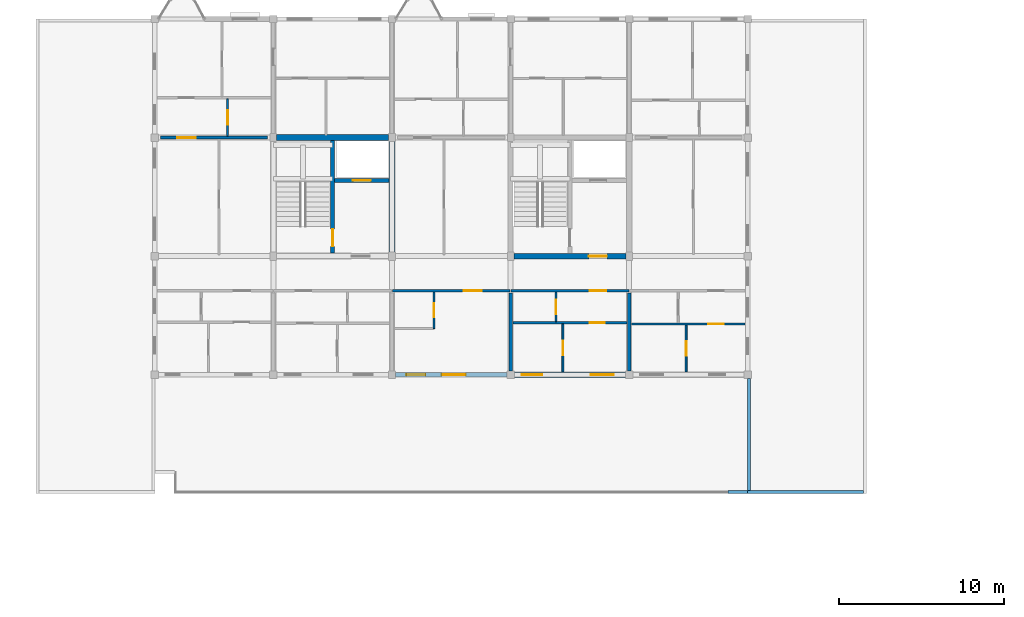
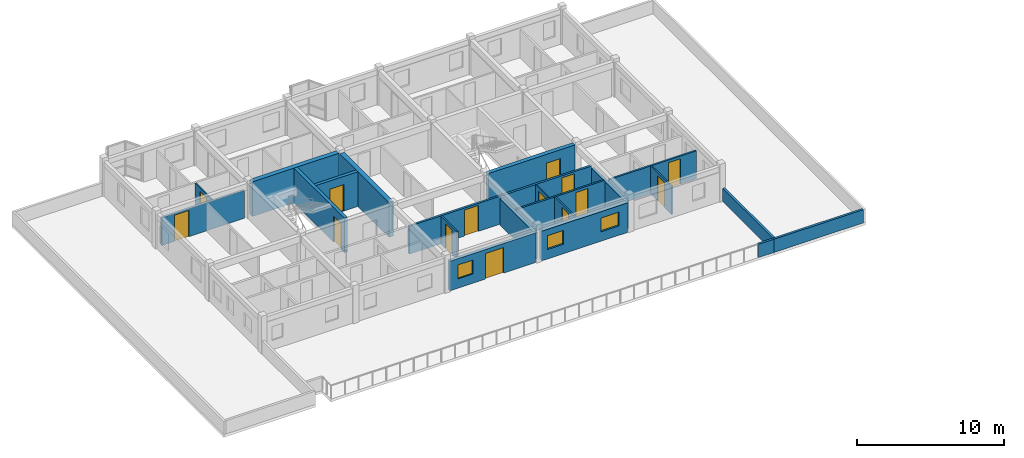
# One storey, part 33 of 40: 22 walls, 14 doors, 3 windows, 17 openings.
"""IFC4 building model written with IfcOpenShell, lengths in metres."""

from ifc_helpers import new_model, si_unit, direction, frame, frame_2d, origin, place, context, subcontext, project, spatial, rectangle, extrude, material, layer, layer_set, type_object, element, fill, save


model = new_model("IFC4")

# Units and contexts
model_context = context("Model", 3, precision=1e-05, world=origin(), true_north=direction((0.0, 1.0)))
body_context = subcontext(model_context, "Body", "Model", "MODEL_VIEW")
ifc_project = project(units=[si_unit("LENGTHUNIT", "METRE"), si_unit("AREAUNIT", "SQUARE_METRE"), si_unit("VOLUMEUNIT", "CUBIC_METRE"), si_unit("PLANEANGLEUNIT", "RADIAN"), si_unit("MASSUNIT", "GRAM", prefix="KILO"), si_unit("THERMODYNAMICTEMPERATUREUNIT", "KELVIN"), si_unit("POWERUNIT", "WATT")], contexts=[model_context])

# Site, building, storey
site_placement = place(None, origin())
site = spatial("IfcSite", under=ifc_project, at=site_placement, CompositionType="ELEMENT")
building_placement = place(site_placement, origin())
building = spatial("IfcBuilding", under=site, at=building_placement, Name="Tavuni Mirador Residences", CompositionType="ELEMENT")
storey_placement = place(building_placement, frame((0.0, 0.0, 36.0)))
storey = spatial("IfcBuildingStorey", under=building, at=storey_placement, Name="L11", CompositionType="ELEMENT", Elevation=36.0)

# Wall, opening, door
ifc_material_1 = material(Name="Precast concrete C40/50", Category="concrete")
ifc_layer_1 = layer(ifc_material_1, 0.25, Name="Precast concrete C40/50", Category="concrete")
ifc_layer_set_1 = layer_set([ifc_layer_1], Name="Precast concrete C40/50")
wall_type_1 = type_object("IfcWallType", Name="WT-COR250", PredefinedType="SHEAR", material=ifc_layer_set_1)
wall_1_placement = place(storey_placement, frame((28.800048828125, 158.580078125, 0.0), z_axis=(0.0, 0.0, 1.0), x_axis=(0.0, 1.0, 0.0)))
wall_1 = element("IfcWall", 1, at=wall_1_placement, inside=storey, type_object=wall_type_1, Name="CWALL-C5-L11-MID", PredefinedType="SHEAR", context=body_context, shape_type="SweptSolid", body=[
    extrude(rectangle(XDim=6.83984375, YDim=0.25, at=frame_2d((3.419921875, 0.0))), origin(), (0.0, 0.0, 1.0), 2.885009765625),
])
opening_1_placement = place(wall_1_placement, frame((0.419921875, 0.0, 0.0)))
opening_1 = element("IfcOpeningElement", 2, at=opening_1_placement, cuts=wall_1, Name="Opening D-01", PredefinedType="OPENING", context=body_context, shape_type="SweptSolid", body=[
    extrude(rectangle(XDim=1.050048828125, YDim=2.14990234375, at=frame_2d((0.52490234375, 1.074951171875))), frame((0.0, 0.135009765625, 0.0), z_axis=(0.0, -1.0, 0.0), x_axis=(1.0, 0.0, 0.0)), (0.0, 0.0, 1.0), 0.27001953125),
])
ifc_material_2 = material(Name="Solid core iroko timber", Category="wood")
door_type_1 = type_object("IfcDoorType", Name="DT-ST1050", OperationType="NOTDEFINED", PredefinedType="DOOR", material=ifc_material_2)
door_1_placement = place(opening_1_placement, origin())
door_1 = element("IfcDoor", 3, at=door_1_placement, inside=storey, type_object=door_type_1, Name="DR-2208", OperationType="SINGLE_SWING_RIGHT", OverallHeight=2.14990234375, OverallWidth=1.050048828125, PredefinedType="DOOR", context=body_context, shape_type="SweptSolid", body=[
    extrude(rectangle(XDim=1.050048828125, YDim=2.14990234375, at=frame_2d((0.52490234375, 1.074951171875))), frame((0.0, 0.02490234375, 0.0), z_axis=(0.0, -1.0, 0.0), x_axis=(1.0, 0.0, 0.0)), (0.0, 0.0, 1.0), 0.050048828125),
])
fill(opening_1, door_1)

wall_2_placement = place(storey_placement, frame((28.925048828125, 163.0, 0.0), z_axis=(0.0, 0.0, 1.0), x_axis=(1.0, 0.0, 0.0)))
wall_2 = element("IfcWall", 4, at=wall_2_placement, inside=storey, type_object=wall_type_1, Name="CWALL-C5-L11-SHF", PredefinedType="SHEAR", context=body_context, shape_type="SweptSolid", body=[
    extrude(rectangle(XDim=3.294921875, YDim=0.25, at=frame_2d((1.6474609375, 0.0))), origin(), (0.0, 0.0, 1.0), 2.885009765625),
])
opening_2_placement = place(wall_2_placement, frame((1.10009765625, 0.0, 0.0)))
opening_2 = element("IfcOpeningElement", 5, at=opening_2_placement, cuts=wall_2, Name="Opening LD-01", PredefinedType="OPENING", context=body_context, shape_type="SweptSolid", body=[
    extrude(rectangle(XDim=1.10009765625, YDim=2.199951171875, at=frame_2d((0.550048828125, 1.10009765625))), frame((0.0, 0.135009765625, 0.0), z_axis=(0.0, -1.0, 0.0), x_axis=(1.0, 0.0, 0.0)), (0.0, 0.0, 1.0), 0.27001953125),
])
ifc_material_3 = material(Name="Structural steel S355", Category="steel")
door_type_2 = type_object("IfcDoorType", Name="DT-LD-FF", OperationType="SLIDING_TO_LEFT", PredefinedType="DOOR", material=ifc_material_3)
door_2_placement = place(opening_2_placement, origin())
door_2 = element("IfcDoor", 6, at=door_2_placement, inside=storey, type_object=door_type_2, Name="Lift landing door FL-C1 L11", OperationType="SLIDING_TO_LEFT", OverallHeight=2.199951171875, OverallWidth=1.10009765625, PredefinedType="DOOR", context=body_context, shape_type="SweptSolid", body=[
    extrude(rectangle(XDim=1.10009765625, YDim=2.199951171875, at=frame_2d((0.550048828125, 1.10009765625))), frame((0.0, 0.02490234375, 0.0), z_axis=(0.0, -1.0, 0.0), x_axis=(1.0, 0.0, 0.0)), (0.0, 0.0, 1.0), 0.050048828125),
])
fill(opening_2, door_2)

ifc_layer_2 = layer(ifc_material_1, 0.320068359375, Name="Precast concrete C40/50", Category="concrete")
ifc_layer_set_2 = layer_set([ifc_layer_2], Name="Precast concrete C40/50")
wall_type_2 = type_object("IfcWallType", Name="WT-COR320", PredefinedType="SHEAR", material=ifc_layer_set_2)
wall_3_placement = place(storey_placement, frame((39.800048828125, 158.39990234375, 0.0), z_axis=(0.0, 0.0, 1.0), x_axis=(1.0, 0.0, 0.0)))
wall_3 = element("IfcWall", 7, at=wall_3_placement, inside=storey, type_object=wall_type_2, Name="CWALL-C6-L11-SS", PredefinedType="SHEAR", context=body_context, shape_type="SweptSolid", body=[
    extrude(rectangle(XDim=6.800048828125, YDim=0.320068359375, at=frame_2d((3.39990234375, 0.0))), origin(), (0.0, 0.0, 1.0), 2.885009765625),
])
opening_3_placement = place(wall_3_placement, frame((4.550048828125, 0.0, 0.0)))
opening_3 = element("IfcOpeningElement", 8, at=opening_3_placement, cuts=wall_3, Name="Opening D-02", PredefinedType="OPENING", context=body_context, shape_type="SweptSolid", body=[
    extrude(rectangle(XDim=1.10009765625, YDim=2.14990234375, at=frame_2d((0.550048828125, 1.074951171875))), frame((0.0, 0.169921875, 0.0), z_axis=(0.0, -1.0, 0.0), x_axis=(1.0, 0.0, 0.0)), (0.0, 0.0, 1.0), 0.340087890625),
])
door_type_3 = type_object("IfcDoorType", Name="DT-LOB1100", OperationType="NOTDEFINED", PredefinedType="DOOR", material=ifc_material_2)
door_3_placement = place(opening_3_placement, frame((1.10009765625, 0.0, 0.0), z_axis=(0.0, 0.0, 1.0), x_axis=(-1.0, 0.0, 0.0)))
door_3 = element("IfcDoor", 9, at=door_3_placement, inside=storey, type_object=door_type_3, Name="DR-2252", OperationType="SINGLE_SWING_RIGHT", OverallHeight=2.14990234375, OverallWidth=1.10009765625, PredefinedType="DOOR", context=body_context, shape_type="SweptSolid", body=[
    extrude(rectangle(XDim=1.10009765625, YDim=2.14990234375, at=frame_2d((0.550048828125, 1.074951171875))), frame((0.0, 0.02490234375, 0.0), z_axis=(0.0, -1.0, 0.0), x_axis=(1.0, 0.0, 0.0)), (0.0, 0.0, 1.0), 0.050048828125),
])
fill(opening_3, door_3)

# Walls
ifc_layer_3 = layer(ifc_material_1, 0.360107421875, Name="Precast concrete C40/50", Category="concrete")
ifc_layer_set_3 = layer_set([ifc_layer_3], Name="Precast concrete C40/50")
wall_type_3 = type_object("IfcWallType", Name="WT-COR360", PredefinedType="SHEAR", material=ifc_layer_set_3)
wall_4_placement = place(storey_placement, frame((25.39990234375, 165.60009765625, 0.0), z_axis=(0.0, 0.0, 1.0), x_axis=(1.0, 0.0, 0.0)))
element("IfcWall", 10, at=wall_4_placement, inside=storey, type_object=wall_type_3, Name="CWALL-C5-L11-N", PredefinedType="SHEAR", context=body_context, shape_type="SweptSolid", body=[
    extrude(rectangle(XDim=6.800048828125, YDim=0.360107421875, at=frame_2d((3.39990234375, 0.0))), origin(), (0.0, 0.0, 1.0), 2.885009765625),
])
wall_5_placement = place(storey_placement, frame((32.39990234375, 158.64990234375, 0.0), z_axis=(0.0, 0.0, 1.0), x_axis=(0.0, 1.0, 0.0)))
element("IfcWall", 11, at=wall_5_placement, inside=storey, type_object=wall_type_3, Name="CWALL-C5-L11-E", PredefinedType="SHEAR", context=body_context, shape_type="SweptSolid", body=[
    extrude(rectangle(XDim=6.7001953125, YDim=0.360107421875, at=frame_2d((3.35009765625, 0.0))), origin(), (0.0, 0.0, 1.0), 2.885009765625),
])

# Wall, opening, door
ifc_layer_4 = layer(ifc_material_1, 0.1650390625, Name="Precast concrete C40/50", Category="concrete")
ifc_layer_set_4 = layer_set([ifc_layer_4], Name="Precast concrete C40/50")
wall_type_4 = type_object("IfcWallType", Name="WT-CORR165", PredefinedType="PARTITIONING", material=ifc_layer_set_4)
wall_6_placement = place(storey_placement, frame((32.419921875, 156.300048828125, 0.0), z_axis=(0.0, 0.0, 1.0), x_axis=(1.0, 0.0, 0.0)))
wall_6 = element("IfcWall", 12, at=wall_6_placement, inside=storey, type_object=wall_type_4, Name="CORW-BLK-C-L11-0-02", PredefinedType="PARTITIONING", context=body_context, shape_type="SweptSolid", body=[
    extrude(rectangle(XDim=7.16015625, YDim=0.1650390625, at=frame_2d((3.580078125, 0.0))), origin(), (0.0, 0.0, 1.0), 2.320068359375),
])
opening_4_placement = place(wall_6_placement, frame((4.330078125, 0.0, 0.0)))
opening_4 = element("IfcOpeningElement", 13, at=opening_4_placement, cuts=wall_6, Name="Opening D-02", PredefinedType="OPENING", context=body_context, shape_type="SweptSolid", body=[
    extrude(rectangle(XDim=1.10009765625, YDim=2.14990234375, at=frame_2d((0.550048828125, 1.074951171875))), frame((0.0, 0.092529296875, 0.0), z_axis=(0.0, -1.0, 0.0), x_axis=(1.0, 0.0, 0.0)), (0.0, 0.0, 1.0), 0.18505859375),
])
door_4_placement = place(opening_4_placement, origin())
door_4 = element("IfcDoor", 14, at=door_4_placement, inside=storey, type_object=door_type_3, Name="DR-2777", OperationType="SINGLE_SWING_RIGHT", OverallHeight=2.14990234375, OverallWidth=1.10009765625, PredefinedType="DOOR", context=body_context, shape_type="SweptSolid", body=[
    extrude(rectangle(XDim=1.10009765625, YDim=2.14990234375, at=frame_2d((0.550048828125, 1.074951171875))), frame((0.0, 0.02490234375, 0.0), z_axis=(0.0, -1.0, 0.0), x_axis=(1.0, 0.0, 0.0)), (0.0, 0.0, 1.0), 0.050048828125),
])
fill(opening_4, door_4)

wall_7_placement = place(storey_placement, frame((39.6201171875, 156.300048828125, 0.0), z_axis=(0.0, 0.0, 1.0), x_axis=(1.0, 0.0, 0.0)))
wall_7 = element("IfcWall", 15, at=wall_7_placement, inside=storey, type_object=wall_type_4, Name="CORW-BLK-C-L11-0-03", PredefinedType="PARTITIONING", context=body_context, shape_type="SweptSolid", body=[
    extrude(rectangle(XDim=7.159912109375, YDim=0.1650390625, at=frame_2d((3.580078125, 0.0))), origin(), (0.0, 0.0, 1.0), 2.320068359375),
])
opening_5_placement = place(wall_7_placement, frame((4.780029296875, 0.0, 0.0)))
opening_5 = element("IfcOpeningElement", 16, at=opening_5_placement, cuts=wall_7, Name="Opening D-03", PredefinedType="OPENING", context=body_context, shape_type="SweptSolid", body=[
    extrude(rectangle(XDim=1.0, YDim=2.14990234375, at=frame_2d((0.5, 1.074951171875))), frame((0.0, 0.092529296875, 0.0), z_axis=(0.0, -1.0, 0.0), x_axis=(1.0, 0.0, 0.0)), (0.0, 0.0, 1.0), 0.18505859375),
])
door_type_4 = type_object("IfcDoorType", Name="DT-FD60-1000", OperationType="NOTDEFINED", PredefinedType="DOOR", material=ifc_material_2)
door_5_placement = place(opening_5_placement, origin())
door_5 = element("IfcDoor", 17, at=door_5_placement, inside=storey, type_object=door_type_4, Name="DR-2778", OperationType="SINGLE_SWING_LEFT", OverallHeight=2.14990234375, OverallWidth=1.0, PredefinedType="DOOR", context=body_context, shape_type="SweptSolid", body=[
    extrude(rectangle(XDim=1.0, YDim=2.14990234375, at=frame_2d((0.5, 1.074951171875))), frame((0.0, 0.02490234375, 0.0), z_axis=(0.0, -1.0, 0.0), x_axis=(1.0, 0.0, 0.0)), (0.0, 0.0, 1.0), 0.050048828125),
])
fill(opening_5, door_5)

wall_8_placement = place(storey_placement, frame((18.35009765625, 165.60009765625, 0.0), z_axis=(0.0, 0.0, 1.0), x_axis=(1.0, 0.0, 0.0)))
wall_8 = element("IfcWall", 18, at=wall_8_placement, inside=storey, type_object=wall_type_4, Name="CORW-BLK-C-L11-1-00", PredefinedType="PARTITIONING", context=body_context, shape_type="SweptSolid", body=[
    extrude(rectangle(XDim=6.5, YDim=0.1650390625, at=frame_2d((3.25, 0.0))), origin(), (0.0, 0.0, 1.0), 2.320068359375),
])
opening_6_placement = place(wall_8_placement, frame((1.0, 0.0, 0.0)))
opening_6 = element("IfcOpeningElement", 19, at=opening_6_placement, cuts=wall_8, Name="Opening D-20", PredefinedType="OPENING", context=body_context, shape_type="SweptSolid", body=[
    extrude(rectangle(XDim=1.139892578125, YDim=2.179931640625, at=frame_2d((0.56982421875, 1.08984375))), frame((0.0, 0.092529296875, 0.0), z_axis=(0.0, -1.0, 0.0), x_axis=(1.0, 0.0, 0.0)), (0.0, 0.0, 1.0), 0.18505859375),
])
door_type_5 = type_object("IfcDoorType", Name="DT-FD60-1140", OperationType="NOTDEFINED", PredefinedType="DOOR", material=ifc_material_2)
door_6_placement = place(opening_6_placement, origin())
door_6 = element("IfcDoor", 20, at=door_6_placement, inside=storey, type_object=door_type_5, Name="DR-2780", OperationType="SINGLE_SWING_LEFT", OverallHeight=2.179931640625, OverallWidth=1.139892578125, PredefinedType="DOOR", context=body_context, shape_type="SweptSolid", body=[
    extrude(rectangle(XDim=1.139892578125, YDim=2.179931640625, at=frame_2d((0.56982421875, 1.08984375))), frame((0.0, 0.02490234375, 0.0), z_axis=(0.0, -1.0, 0.0), x_axis=(1.0, 0.0, 0.0)), (0.0, 0.0, 1.0), 0.050048828125),
])
fill(opening_6, door_6)

# Wall, openings, windows
ifc_layer_5 = layer(ifc_material_1, 0.330078125, Name="Precast concrete C40/50", Category="concrete")
ifc_layer_set_5 = layer_set([ifc_layer_5], Name="Precast concrete C40/50")
wall_type_5 = type_object("IfcWallType", Name="WT-EXT-COR330", PredefinedType="SOLIDWALL", material=ifc_layer_set_5)
wall_9_placement = place(storey_placement, frame((39.824951171875, 151.199951171875, 0.0), z_axis=(0.0, 0.0, 1.0), x_axis=(1.0, 0.0, 0.0)))
wall_9 = element("IfcWall", 21, at=wall_9_placement, inside=storey, type_object=wall_type_5, Name="EW-BLK-C-L11-S03", PredefinedType="SOLIDWALL", context=body_context, shape_type="SweptSolid", body=[
    extrude(rectangle(XDim=6.75, YDim=0.330078125, at=frame_2d((3.375, 0.0))), origin(), (0.0, 0.0, 1.0), 2.455078125),
])
opening_7_placement = place(wall_9_placement, frame((0.449951171875, 0.0, 0.780029296875)))
opening_7 = element("IfcOpeningElement", 22, at=opening_7_placement, cuts=wall_9, Name="Opening WN-06", PredefinedType="OPENING", context=body_context, shape_type="SweptSolid", body=[
    extrude(rectangle(XDim=1.239990234375, YDim=1.14990234375, at=frame_2d((0.6201171875, 0.574951171875))), frame((0.0, 0.175048828125, 0.0), z_axis=(0.0, -1.0, 0.0), x_axis=(1.0, 0.0, 0.0)), (0.0, 0.0, 1.0), 0.35009765625),
])
opening_8_placement = place(wall_9_placement, frame((4.64990234375, 0.0, 0.780029296875)))
opening_8 = element("IfcOpeningElement", 23, at=opening_8_placement, cuts=wall_9, Name="Opening WN-08", PredefinedType="OPENING", context=body_context, shape_type="SweptSolid", body=[
    extrude(rectangle(XDim=1.39990234375, YDim=1.14990234375, at=frame_2d((0.699951171875, 0.574951171875))), frame((0.0, 0.175048828125, 0.0), z_axis=(0.0, -1.0, 0.0), x_axis=(1.0, 0.0, 0.0)), (0.0, 0.0, 1.0), 0.35009765625),
])
ifc_material_4 = material(Name="Laminated solar-control glass", Category="glass")
window_type_1 = type_object("IfcWindowType", Name="WNT-06", PartitioningType="SINGLE_PANEL", PredefinedType="WINDOW", material=ifc_material_4)
window_1_placement = place(opening_7_placement, origin())
window_1 = element("IfcWindow", 24, at=window_1_placement, inside=storey, type_object=window_type_1, Name="WIN-1314", OverallHeight=1.14990234375, OverallWidth=1.239990234375, PartitioningType="SINGLE_PANEL", PredefinedType="WINDOW", context=body_context, shape_type="SweptSolid", body=[
    extrude(rectangle(XDim=1.239990234375, YDim=1.14990234375, at=frame_2d((0.6201171875, 0.574951171875))), frame((0.0, 0.030029296875, 0.0), z_axis=(0.0, -1.0, 0.0), x_axis=(1.0, 0.0, 0.0)), (0.0, 0.0, 1.0), 0.06005859375),
])
fill(opening_7, window_1)
window_type_2 = type_object("IfcWindowType", Name="WNT-08", PartitioningType="SINGLE_PANEL", PredefinedType="WINDOW", material=ifc_material_4)
window_2_placement = place(opening_8_placement, origin())
window_2 = element("IfcWindow", 25, at=window_2_placement, inside=storey, type_object=window_type_2, Name="WIN-1315", OverallHeight=1.14990234375, OverallWidth=1.39990234375, PartitioningType="SINGLE_PANEL", PredefinedType="WINDOW", context=body_context, shape_type="SweptSolid", body=[
    extrude(rectangle(XDim=1.39990234375, YDim=1.14990234375, at=frame_2d((0.699951171875, 0.574951171875))), frame((0.0, 0.030029296875, 0.0), z_axis=(0.0, -1.0, 0.0), x_axis=(1.0, 0.0, 0.0)), (0.0, 0.0, 1.0), 0.06005859375),
])
fill(opening_8, window_2)

# Wall, openings, door, window
ifc_material_5 = material(Name="Sgraffito lime-rendered precast concrete C40/50", Category="concrete")
ifc_layer_6 = layer(ifc_material_5, 0.2451171875, Name="Sgraffito lime-rendered precast concrete C40/50", Category="concrete")
ifc_layer_set_6 = layer_set([ifc_layer_6], Name="Sgraffito lime-rendered precast concrete C40/50")
wall_type_6 = type_object("IfcWallType", Name="WT-EXT-PC245", PredefinedType="SOLIDWALL", material=ifc_layer_set_6)
wall_10_placement = place(storey_placement, frame((32.625, 151.199951171875, 0.0), z_axis=(0.0, 0.0, 1.0), x_axis=(1.0, 0.0, 0.0)))
wall_10 = element("IfcWall", 26, at=wall_10_placement, inside=storey, type_object=wall_type_6, Name="EW-BLK-C-L11-S02", PredefinedType="SOLIDWALL", context=body_context, shape_type="SweptSolid", body=[
    extrude(rectangle(XDim=6.75, YDim=0.2451171875, at=frame_2d((3.375, 0.0))), origin(), (0.0, 0.0, 1.0), 2.455078125),
])
opening_9_placement = place(wall_10_placement, frame((2.800048828125, 0.0, 0.0)))
opening_9 = element("IfcOpeningElement", 27, at=opening_9_placement, cuts=wall_10, Name="Opening TD-05", PredefinedType="OPENING", context=body_context, shape_type="SweptSolid", body=[
    extrude(rectangle(XDim=1.43994140625, YDim=2.1201171875, at=frame_2d((0.719970703125, 1.06005859375))), frame((0.0, 0.132568359375, 0.0), z_axis=(0.0, -1.0, 0.0), x_axis=(1.0, 0.0, 0.0)), (0.0, 0.0, 1.0), 0.26513671875),
])
opening_10_placement = place(wall_10_placement, frame((0.64990234375, 0.0, 0.780029296875)))
opening_10 = element("IfcOpeningElement", 28, at=opening_10_placement, cuts=wall_10, Name="Opening WN-05", PredefinedType="OPENING", context=body_context, shape_type="SweptSolid", body=[
    extrude(rectangle(XDim=1.159912109375, YDim=1.14990234375, at=frame_2d((0.580078125, 0.574951171875))), frame((0.0, 0.132568359375, 0.0), z_axis=(0.0, -1.0, 0.0), x_axis=(1.0, 0.0, 0.0)), (0.0, 0.0, 1.0), 0.26513671875),
])
ifc_material_6 = material(Name="Anodised aluminium", Category="aluminium")
door_type_6 = type_object("IfcDoorType", Name="DT-TER1440", OperationType="NOTDEFINED", PredefinedType="DOOR", material=ifc_material_6)
door_7_placement = place(opening_9_placement, frame((1.43994140625, 0.0, 0.0), z_axis=(0.0, 0.0, 1.0), x_axis=(-1.0, 0.0, 0.0)))
door_7 = element("IfcDoor", 29, at=door_7_placement, inside=storey, type_object=door_type_6, Name="DR-0014", OperationType="SINGLE_SWING_LEFT", OverallHeight=2.1201171875, OverallWidth=1.43994140625, PredefinedType="DOOR", context=body_context, shape_type="SweptSolid", body=[
    extrude(rectangle(XDim=1.43994140625, YDim=2.1201171875, at=frame_2d((0.719970703125, 1.06005859375))), frame((0.0, 0.02490234375, 0.0), z_axis=(0.0, -1.0, 0.0), x_axis=(1.0, 0.0, 0.0)), (0.0, 0.0, 1.0), 0.050048828125),
])
fill(opening_9, door_7)
window_type_3 = type_object("IfcWindowType", Name="WNT-05", PartitioningType="SINGLE_PANEL", PredefinedType="WINDOW", material=ifc_material_4)
window_3_placement = place(opening_10_placement, origin())
window_3 = element("IfcWindow", 30, at=window_3_placement, inside=storey, type_object=window_type_3, Name="WIN-1313", OverallHeight=1.14990234375, OverallWidth=1.159912109375, PartitioningType="SINGLE_PANEL", PredefinedType="WINDOW", context=body_context, shape_type="SweptSolid", body=[
    extrude(rectangle(XDim=1.159912109375, YDim=1.14990234375, at=frame_2d((0.580078125, 0.574951171875))), frame((0.0, 0.030029296875, 0.0), z_axis=(0.0, -1.0, 0.0), x_axis=(1.0, 0.0, 0.0)), (0.0, 0.0, 1.0), 0.06005859375),
])
fill(opening_10, window_3)

# Walls
ifc_layer_7 = layer(ifc_material_1, 0.175048828125, Name="Precast concrete C40/50", Category="concrete")
ifc_layer_set_7 = layer_set([ifc_layer_7], Name="Precast concrete C40/50")
wall_type_7 = type_object("IfcWallType", Name="WT-PAR175", PredefinedType="PARAPET", material=ifc_layer_set_7)
wall_11_placement = place(storey_placement, frame((54.0, 144.08740234375, 0.0), z_axis=(0.0, 0.0, 1.0), x_axis=(1.0, 0.0, 0.0)))
element("IfcWall", 31, at=wall_11_placement, inside=storey, type_object=wall_type_7, Name="Setback roof parapet ROOF-C-L11-E S", PredefinedType="PARAPET", context=body_context, shape_type="SweptSolid", body=[
    extrude(rectangle(XDim=7.02490234375, YDim=0.175048828125, at=frame_2d((3.512451171875, 0.0))), origin(), (0.0, 0.0, 1.0), 1.10009765625),
])
wall_12_placement = place(storey_placement, frame((54.08740234375, 144.175048828125, 0.0), z_axis=(0.0, 0.0, 1.0), x_axis=(0.0, 1.0, 0.0)))
element("IfcWall", 32, at=wall_12_placement, inside=storey, type_object=wall_type_7, Name="Setback roof parapet ROOF-C-L11-E W", PredefinedType="PARAPET", context=body_context, shape_type="SweptSolid", body=[
    extrude(rectangle(XDim=6.7978515625, YDim=0.175048828125, at=frame_2d((3.39892578125, 0.0))), origin(), (0.0, 0.0, 1.0), 1.10009765625),
])
wall_13_placement = place(storey_placement, frame((52.800048828125, 144.08740234375, 0.0), z_axis=(0.0, 0.0, 1.0), x_axis=(1.0, 0.0, 0.0)))
element("IfcWall", 33, at=wall_13_placement, inside=storey, type_object=wall_type_7, Name="Terrace parapet TER-C-L11 RE", PredefinedType="PARAPET", context=body_context, shape_type="SweptSolid", body=[
    extrude(rectangle(XDim=1.199951171875, YDim=0.175048828125, at=frame_2d((0.60009765625, 0.0))), origin(), (0.0, 0.0, 1.0), 1.10009765625),
])

# Wall, opening, door
ifc_material_7 = material(Name="Acoustic gypsum and concrete block partition", Category="concrete")
ifc_layer_8 = layer(ifc_material_7, 0.10498046875, Name="Acoustic gypsum and concrete block partition", Category="concrete")
ifc_layer_set_8 = layer_set([ifc_layer_8], Name="Acoustic gypsum and concrete block partition")
wall_type_8 = type_object("IfcWallType", Name="WT-PART105", PredefinedType="PARTITIONING", material=ifc_layer_set_8)
wall_14_placement = place(storey_placement, frame((22.419921875, 165.68994140625, 0.0), z_axis=(0.0, 0.0, 1.0), x_axis=(0.0, 1.0, 0.0)))
wall_14 = element("IfcWall", 34, at=wall_14_placement, inside=storey, type_object=wall_type_8, Name="PW-BLK-C-L11-N00-IN1", PredefinedType="PARTITIONING", context=body_context, shape_type="SweptSolid", body=[
    extrude(rectangle(XDim=2.260009765625, YDim=0.10498046875, at=frame_2d((1.1298828125, 0.0))), origin(), (0.0, 0.0, 1.0), 2.320068359375),
])
opening_11_placement = place(wall_14_placement, frame((0.695068359375, 0.0, 0.0)))
opening_11 = element("IfcOpeningElement", 35, at=opening_11_placement, cuts=wall_14, Name="Opening D-10", PredefinedType="OPENING", context=body_context, shape_type="SweptSolid", body=[
    extrude(rectangle(XDim=0.8701171875, YDim=2.050048828125, at=frame_2d((0.43505859375, 1.02490234375))), frame((0.0, 0.0625, 0.0), z_axis=(0.0, -1.0, 0.0), x_axis=(1.0, 0.0, 0.0)), (0.0, 0.0, 1.0), 0.125),
])
door_type_7 = type_object("IfcDoorType", Name="DT-WC870", OperationType="NOTDEFINED", PredefinedType="DOOR", material=ifc_material_2)
door_8_placement = place(opening_11_placement, origin())
door_8 = element("IfcDoor", 36, at=door_8_placement, inside=storey, type_object=door_type_7, Name="DR-4203", OperationType="SINGLE_SWING_RIGHT", OverallHeight=2.050048828125, OverallWidth=0.8701171875, PredefinedType="DOOR", context=body_context, shape_type="SweptSolid", body=[
    extrude(rectangle(XDim=0.8701171875, YDim=2.050048828125, at=frame_2d((0.43505859375, 1.02490234375))), frame((0.0, 0.02490234375, 0.0), z_axis=(0.0, -1.0, 0.0), x_axis=(1.0, 0.0, 0.0)), (0.0, 0.0, 1.0), 0.050048828125),
])
fill(opening_11, door_8)

wall_15_placement = place(storey_placement, frame((42.360107421875, 154.429931640625, 0.0), z_axis=(0.0, 0.0, 1.0), x_axis=(0.0, 1.0, 0.0)))
wall_15 = element("IfcWall", 37, at=wall_15_placement, inside=storey, type_object=wall_type_8, Name="PW-BLK-C-L11-S03-IN1", PredefinedType="PARTITIONING", context=body_context, shape_type="SweptSolid", body=[
    extrude(rectangle(XDim=1.780029296875, YDim=0.10498046875, at=frame_2d((0.89013671875, 0.0))), origin(), (0.0, 0.0, 1.0), 2.320068359375),
])
opening_12_placement = place(wall_15_placement, frame((0.455078125, 0.0, 0.0)))
opening_12 = element("IfcOpeningElement", 38, at=opening_12_placement, cuts=wall_15, Name="Opening D-10", PredefinedType="OPENING", context=body_context, shape_type="SweptSolid", body=[
    extrude(rectangle(XDim=0.8701171875, YDim=2.050048828125, at=frame_2d((0.43505859375, 1.02490234375))), frame((0.0, 0.0625, 0.0), z_axis=(0.0, -1.0, 0.0), x_axis=(1.0, 0.0, 0.0)), (0.0, 0.0, 1.0), 0.125),
])
door_9_placement = place(opening_12_placement, origin())
door_9 = element("IfcDoor", 39, at=door_9_placement, inside=storey, type_object=door_type_7, Name="DR-4216", OperationType="SINGLE_SWING_RIGHT", OverallHeight=2.050048828125, OverallWidth=0.8701171875, PredefinedType="DOOR", context=body_context, shape_type="SweptSolid", body=[
    extrude(rectangle(XDim=0.8701171875, YDim=2.050048828125, at=frame_2d((0.43505859375, 1.02490234375))), frame((0.0, 0.02490234375, 0.0), z_axis=(0.0, -1.0, 0.0), x_axis=(1.0, 0.0, 0.0)), (0.0, 0.0, 1.0), 0.050048828125),
])
fill(opening_12, door_9)

ifc_layer_9 = layer(ifc_material_7, 0.114990234375, Name="Acoustic gypsum and concrete block partition", Category="concrete")
ifc_layer_set_9 = layer_set([ifc_layer_9], Name="Acoustic gypsum and concrete block partition")
wall_type_9 = type_object("IfcWallType", Name="WT-PART115", PredefinedType="PARTITIONING", material=ifc_layer_set_9)
wall_16_placement = place(storey_placement, frame((34.949951171875, 154.0, 0.0), z_axis=(0.0, 0.0, 1.0), x_axis=(0.0, 1.0, 0.0)))
wall_16 = element("IfcWall", 40, at=wall_16_placement, inside=storey, type_object=wall_type_9, Name="PW-BLK-C-L11-S02-2", PredefinedType="PARTITIONING", context=body_context, shape_type="SweptSolid", body=[
    extrude(rectangle(XDim=2.2099609375, YDim=0.114990234375, at=frame_2d((1.10498046875, 0.0))), origin(), (0.0, 0.0, 1.0), 2.320068359375),
])
opening_13_placement = place(wall_16_placement, frame((0.679931640625, 0.0, 0.0)))
opening_13 = element("IfcOpeningElement", 41, at=opening_13_placement, cuts=wall_16, Name="Opening D-10", PredefinedType="OPENING", context=body_context, shape_type="SweptSolid", body=[
    extrude(rectangle(XDim=0.8701171875, YDim=2.050048828125, at=frame_2d((0.43505859375, 1.02490234375))), frame((0.0, 0.0673828125, 0.0), z_axis=(0.0, -1.0, 0.0), x_axis=(1.0, 0.0, 0.0)), (0.0, 0.0, 1.0), 0.135009765625),
])
door_10_placement = place(opening_13_placement, origin())
door_10 = element("IfcDoor", 42, at=door_10_placement, inside=storey, type_object=door_type_7, Name="DR-4211", OperationType="SINGLE_SWING_RIGHT", OverallHeight=2.050048828125, OverallWidth=0.8701171875, PredefinedType="DOOR", context=body_context, shape_type="SweptSolid", body=[
    extrude(rectangle(XDim=0.8701171875, YDim=2.050048828125, at=frame_2d((0.43505859375, 1.02490234375))), frame((0.0, 0.02490234375, 0.0), z_axis=(0.0, -1.0, 0.0), x_axis=(1.0, 0.0, 0.0)), (0.0, 0.0, 1.0), 0.050048828125),
])
fill(opening_13, door_10)

wall_17_placement = place(storey_placement, frame((42.780029296875, 151.375, 0.0), z_axis=(0.0, 0.0, 1.0), x_axis=(0.0, 1.0, 0.0)))
wall_17 = element("IfcWall", 43, at=wall_17_placement, inside=storey, type_object=wall_type_9, Name="PW-BLK-C-L11-S03-OUT", PredefinedType="PARTITIONING", context=body_context, shape_type="SweptSolid", body=[
    extrude(rectangle(XDim=2.9150390625, YDim=0.114990234375, at=frame_2d((1.45751953125, 0.0))), origin(), (0.0, 0.0, 1.0), 2.320068359375),
])
opening_14_placement = place(wall_17_placement, frame((1.017578125, 0.0, 0.0)))
opening_14 = element("IfcOpeningElement", 44, at=opening_14_placement, cuts=wall_17, Name="Opening D-08", PredefinedType="OPENING", context=body_context, shape_type="SweptSolid", body=[
    extrude(rectangle(XDim=0.8798828125, YDim=2.080078125, at=frame_2d((0.43994140625, 1.0400390625))), frame((0.0, 0.0673828125, 0.0), z_axis=(0.0, -1.0, 0.0), x_axis=(1.0, 0.0, 0.0)), (0.0, 0.0, 1.0), 0.135009765625),
])
door_type_8 = type_object("IfcDoorType", Name="DT-BED880", OperationType="NOTDEFINED", PredefinedType="DOOR", material=ifc_material_2)
door_11_placement = place(opening_14_placement, origin())
door_11 = element("IfcDoor", 45, at=door_11_placement, inside=storey, type_object=door_type_8, Name="DR-4215", OperationType="SINGLE_SWING_LEFT", OverallHeight=2.080078125, OverallWidth=0.8798828125, PredefinedType="DOOR", context=body_context, shape_type="SweptSolid", body=[
    extrude(rectangle(XDim=0.8798828125, YDim=2.080078125, at=frame_2d((0.43994140625, 1.0400390625))), frame((0.0, 0.02490234375, 0.0), z_axis=(0.0, -1.0, 0.0), x_axis=(1.0, 0.0, 0.0)), (0.0, 0.0, 1.0), 0.050048828125),
])
fill(opening_14, door_11)

wall_18_placement = place(storey_placement, frame((50.260009765625, 151.375, 0.0), z_axis=(0.0, 0.0, 1.0), x_axis=(0.0, 1.0, 0.0)))
wall_18 = element("IfcWall", 46, at=wall_18_placement, inside=storey, type_object=wall_type_9, Name="PW-BLK-C-L11-S04-OUT", PredefinedType="PARTITIONING", context=body_context, shape_type="SweptSolid", body=[
    extrude(rectangle(XDim=2.8349609375, YDim=0.114990234375, at=frame_2d((1.41748046875, 0.0))), origin(), (0.0, 0.0, 1.0), 2.320068359375),
])
opening_15_placement = place(wall_18_placement, frame((0.967529296875, 0.0, 0.0)))
opening_15 = element("IfcOpeningElement", 47, at=opening_15_placement, cuts=wall_18, Name="Opening D-07", PredefinedType="OPENING", context=body_context, shape_type="SweptSolid", body=[
    extrude(rectangle(XDim=0.89990234375, YDim=2.10009765625, at=frame_2d((0.449951171875, 1.050048828125))), frame((0.0, 0.0673828125, 0.0), z_axis=(0.0, -1.0, 0.0), x_axis=(1.0, 0.0, 0.0)), (0.0, 0.0, 1.0), 0.135009765625),
])
door_type_9 = type_object("IfcDoorType", Name="DT-BED900", OperationType="NOTDEFINED", PredefinedType="DOOR", material=ifc_material_2)
door_12_placement = place(opening_15_placement, origin())
door_12 = element("IfcDoor", 48, at=door_12_placement, inside=storey, type_object=door_type_9, Name="DR-4221", OperationType="SINGLE_SWING_RIGHT", OverallHeight=2.10009765625, OverallWidth=0.89990234375, PredefinedType="DOOR", context=body_context, shape_type="SweptSolid", body=[
    extrude(rectangle(XDim=0.89990234375, YDim=2.10009765625, at=frame_2d((0.449951171875, 1.050048828125))), frame((0.0, 0.02490234375, 0.0), z_axis=(0.0, -1.0, 0.0), x_axis=(1.0, 0.0, 0.0)), (0.0, 0.0, 1.0), 0.050048828125),
])
fill(opening_15, door_12)

ifc_layer_10 = layer(ifc_material_7, 0.139892578125, Name="Acoustic gypsum and concrete block partition", Category="concrete")
ifc_layer_set_10 = layer_set([ifc_layer_10], Name="Acoustic gypsum and concrete block partition")
wall_type_10 = type_object("IfcWallType", Name="WT-PART140", PredefinedType="PARTITIONING", material=ifc_layer_set_10)
wall_19_placement = place(storey_placement, frame((39.739990234375, 154.360107421875, 0.0), z_axis=(0.0, 0.0, 1.0), x_axis=(1.0, 0.0, 0.0)))
wall_19 = element("IfcWall", 49, at=wall_19_placement, inside=storey, type_object=wall_type_10, Name="PW-BLK-C-L11-S03-MID", PredefinedType="PARTITIONING", context=body_context, shape_type="SweptSolid", body=[
    extrude(rectangle(XDim=6.919921875, YDim=0.139892578125, at=frame_2d((3.4599609375, 0.0))), origin(), (0.0, 0.0, 1.0), 2.320068359375),
])
opening_16_placement = place(wall_19_placement, frame((4.659912109375, 0.0, 0.0)))
opening_16 = element("IfcOpeningElement", 50, at=opening_16_placement, cuts=wall_19, Name="Opening D-06", PredefinedType="OPENING", context=body_context, shape_type="SweptSolid", body=[
    extrude(rectangle(XDim=0.919921875, YDim=2.10009765625, at=frame_2d((0.4599609375, 1.050048828125))), frame((0.0, 0.080078125, 0.0), z_axis=(0.0, -1.0, 0.0), x_axis=(1.0, 0.0, 0.0)), (0.0, 0.0, 1.0), 0.159912109375),
])
door_type_10 = type_object("IfcDoorType", Name="DT-INT920", OperationType="NOTDEFINED", PredefinedType="DOOR", material=ifc_material_2)
door_13_placement = place(opening_16_placement, origin())
door_13 = element("IfcDoor", 51, at=door_13_placement, inside=storey, type_object=door_type_10, Name="DR-4217", OperationType="SINGLE_SWING_RIGHT", OverallHeight=2.10009765625, OverallWidth=0.919921875, PredefinedType="DOOR", context=body_context, shape_type="SweptSolid", body=[
    extrude(rectangle(XDim=0.919921875, YDim=2.10009765625, at=frame_2d((0.4599609375, 1.050048828125))), frame((0.0, 0.02490234375, 0.0), z_axis=(0.0, -1.0, 0.0), x_axis=(1.0, 0.0, 0.0)), (0.0, 0.0, 1.0), 0.050048828125),
])
fill(opening_16, door_13)

wall_20_placement = place(storey_placement, frame((46.93994140625, 154.280029296875, 0.0), z_axis=(0.0, 0.0, 1.0), x_axis=(1.0, 0.0, 0.0)))
wall_20 = element("IfcWall", 52, at=wall_20_placement, inside=storey, type_object=wall_type_10, Name="PW-BLK-C-L11-S04-MID", PredefinedType="PARTITIONING", context=body_context, shape_type="SweptSolid", body=[
    extrude(rectangle(XDim=6.885009765625, YDim=0.139892578125, at=frame_2d((3.4423828125, 0.0))), origin(), (0.0, 0.0, 1.0), 2.320068359375),
])
opening_17_placement = place(wall_20_placement, frame((4.659912109375, 0.0, 0.0)))
opening_17 = element("IfcOpeningElement", 53, at=opening_17_placement, cuts=wall_20, Name="Opening D-05", PredefinedType="OPENING", context=body_context, shape_type="SweptSolid", body=[
    extrude(rectangle(XDim=0.949951171875, YDim=2.10009765625, at=frame_2d((0.47509765625, 1.050048828125))), frame((0.0, 0.080078125, 0.0), z_axis=(0.0, -1.0, 0.0), x_axis=(1.0, 0.0, 0.0)), (0.0, 0.0, 1.0), 0.159912109375),
])
door_type_11 = type_object("IfcDoorType", Name="DT-INT950", OperationType="NOTDEFINED", PredefinedType="DOOR", material=ifc_material_2)
door_14_placement = place(opening_17_placement, origin())
door_14 = element("IfcDoor", 54, at=door_14_placement, inside=storey, type_object=door_type_11, Name="DR-4223", OperationType="SINGLE_SWING_LEFT", OverallHeight=2.10009765625, OverallWidth=0.949951171875, PredefinedType="DOOR", context=body_context, shape_type="SweptSolid", body=[
    extrude(rectangle(XDim=0.949951171875, YDim=2.10009765625, at=frame_2d((0.47509765625, 1.050048828125))), frame((0.0, 0.02490234375, 0.0), z_axis=(0.0, -1.0, 0.0), x_axis=(1.0, 0.0, 0.0)), (0.0, 0.0, 1.0), 0.050048828125),
])
fill(opening_17, door_14)

# Walls
ifc_layer_11 = layer(ifc_material_1, 0.215087890625, Name="Precast concrete C40/50", Category="concrete")
ifc_layer_set_11 = layer_set([ifc_layer_11], Name="Precast concrete C40/50")
wall_type_11 = type_object("IfcWallType", Name="WT-XW215", PredefinedType="SOLIDWALL", material=ifc_layer_set_11)
for number, where, z_axis, x_axis, name in (
    (55, (39.60009765625, 151.425048828125, 0.0), (0.0, 0.0, 1.0), (0.0, 1.0, 0.0), "XW-BLK-C-L11-S-03"),
    (56, (46.800048828125, 151.425048828125, 0.0), (0.0, 0.0, 1.0), (0.0, 1.0, 0.0), "XW-BLK-C-L11-S-04"),
):
    element("IfcWall", number, at=place(storey_placement, frame(where, z_axis=z_axis, x_axis=x_axis)), inside=storey, type_object=wall_type_11, Name=name, PredefinedType="SOLIDWALL", context=body_context, shape_type="SweptSolid", body=[
        extrude(rectangle(XDim=4.724853515625, YDim=0.215087890625, at=frame_2d((2.3623046875, 0.0))), origin(), (0.0, 0.0, 1.0), 2.18505859375),
    ])

save(model, "model.ifc")
